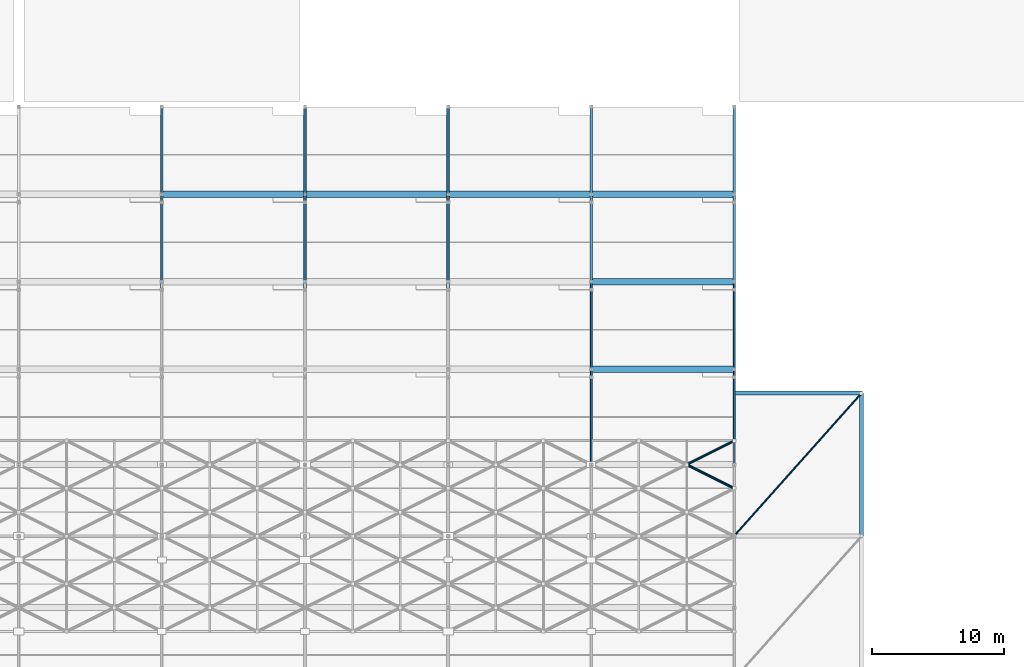
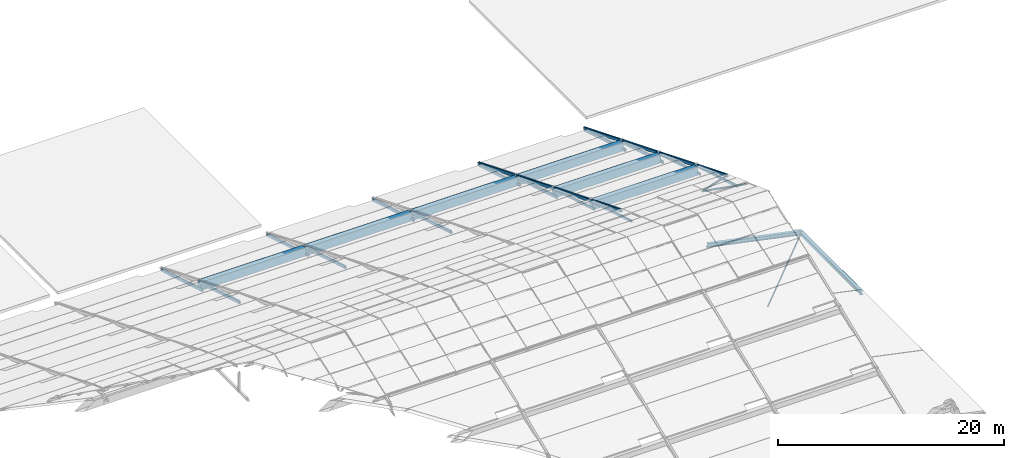
# One storey, part 65 of 112: 19 members, 8 beams.
"""IFC4 building model written with IfcOpenShell, lengths in metres."""

from ifc_helpers import new_model, si_unit, direction, frame, origin, origin_2d, place, context, subcontext, project, spatial, rectangle, hollow_rectangle, hollow_circle, i_section, extrude, material, material_profile, profile_set, type_object, element, save


model = new_model("IFC4")

# Units and contexts
model_context = context("Model", 3, precision=1e-05, world=origin(), true_north=direction((0.0, 1.0)))
body_context = subcontext(model_context, "Body", "Model", "MODEL_VIEW")
ifc_project = project(units=[si_unit("LENGTHUNIT", "METRE"), si_unit("AREAUNIT", "SQUARE_METRE"), si_unit("VOLUMEUNIT", "CUBIC_METRE"), si_unit("PLANEANGLEUNIT", "RADIAN"), si_unit("MASSUNIT", "GRAM", prefix="KILO")], contexts=[model_context])

# Site, building, storey
site_placement = place(None, origin())
site = spatial("IfcSite", under=ifc_project, at=site_placement, CompositionType="ELEMENT")
building_placement = place(site_placement, origin())
building = spatial("IfcBuilding", under=site, at=building_placement, Name="Zwinboog Wholesale Market", CompositionType="ELEMENT")
storey_placement = place(building_placement, frame((0.0, 0.0, 19.080078125)))
storey = spatial("IfcBuildingStorey", under=building, at=storey_placement, Name="Roof", CompositionType="ELEMENT", Elevation=19.080078125)

# Beams
ifc_material_1 = material(Name="Precast concrete C45/55", Category="concrete")
ifc_material_profile_1 = material_profile(ifc_material_1, rectangle(XDim=0.5, YDim=0.89990234375, at=origin_2d()), Name="PC 500x900")
ifc_profile_set_1 = profile_set([ifc_material_profile_1], Name="Precast concrete C45/55")
beam_type_1 = type_object("IfcBeamType", Name="BT-06", PredefinedType="BEAM", material=ifc_profile_set_1)
beam_1_placement = place(storey_placement, frame((129.60009765625, 101.39990234375, -7.402099609375), z_axis=(1.0, 0.0, 0.0), x_axis=(0.0, 1.0, 0.0)))
element("IfcBeam", 1, at=beam_1_placement, inside=storey, type_object=beam_type_1, Name="EB-01 (BMG-Roof-1296-1014-1116)", PredefinedType="BEAM", context=body_context, shape_type="SweptSolid", body=[
    extrude(rectangle(XDim=0.5, YDim=0.89990234375, at=origin_2d()), origin(), (0.0, 0.0, 1.0), 10.7998046875),
])
for number, where, z_axis, x_axis, name in (
    (2, (140.39990234375, 101.39990234375, -7.402099609375), (1.0, 0.0, 0.0), (0.0, 1.0, 0.0), "EB-01 (BMG-Roof-1404-1014-1125)"),
    (3, (151.199951171875, 101.39990234375, -7.402099609375), (1.0, 0.0, 0.0), (0.0, 1.0, 0.0), "EB-01 (BMG-Roof-1512-1014-1134)"),
    (4, (162.0, 101.39990234375, -7.402099609375), (1.0, 0.0, 0.0), (0.0, 1.0, 0.0), "EB-01 (BMG-Roof-1620-1014-1143)"),
    (5, (162.0, 94.800048828125, -4.716064453125), (1.0, 0.0, 0.0), (0.0, 1.0, 0.0), "EB-01 (BMG-Roof-1620-0948-1144)"),
    (6, (162.0, 88.199951171875, -2.031982421875), (1.0, 0.0, 0.0), (0.0, 1.0, 0.0), "EB-01 (BMG-Roof-1620-0882-1145)"),
):
    element("IfcBeam", number, at=place(storey_placement, frame(where, z_axis=z_axis, x_axis=x_axis)), inside=storey, type_object=beam_type_1, Name=name, PredefinedType="BEAM", context=body_context, shape_type="SweptSolid", body=[
        extrude(rectangle(XDim=0.5, YDim=0.89990234375, at=origin_2d()), origin(), (0.0, 0.0, 1.0), 10.800048828125),
    ])
ifc_material_2 = material(Name="Steel S355", Category="steel")
ifc_material_profile_2 = material_profile(ifc_material_2, i_section(OverallWidth=0.300048828125, OverallDepth=0.39990234375, WebThickness=0.013427734375, FlangeThickness=0.02392578125, FilletRadius=0.027099609375, at=origin_2d()), Name="HEB 400")
ifc_profile_set_2 = profile_set([ifc_material_profile_2], Name="Steel S355")
beam_type_2 = type_object("IfcBeamType", Name="BT-15", PredefinedType="BEAM", material=ifc_profile_set_2)
beam_2_placement = place(storey_placement, frame((182.39990234375, 75.60009765625, -11.080078125), z_axis=(0.0, 1.0, 0.0), x_axis=(-1.0, 0.0, 0.0)))
element("IfcBeam", 7, at=beam_2_placement, inside=storey, type_object=beam_type_2, Name="SB-02 (BMG-Roof-1824-0756-1327)", PredefinedType="BEAM", context=body_context, shape_type="SweptSolid", body=[
    extrude(i_section(OverallWidth=0.300048828125, OverallDepth=0.39990234375, WebThickness=0.013427734375, FlangeThickness=0.02392578125, FilletRadius=0.027099609375, at=origin_2d()), origin(), (0.0, 0.0, 1.0), 10.7998046875),
])
beam_3_placement = place(storey_placement, frame((172.800048828125, 86.39990234375, -9.080078125), z_axis=(0.978979798341, 0.0, -0.203957236795), x_axis=(0.0, 1.0, 0.0)))
element("IfcBeam", 8, at=beam_3_placement, inside=storey, type_object=beam_type_2, Name="SB-02 (BMG-Roof-1728-0864-1329)", PredefinedType="BEAM", context=body_context, shape_type="SweptSolid", body=[
    extrude(i_section(OverallWidth=0.300048828125, OverallDepth=0.39990234375, WebThickness=0.013427734375, FlangeThickness=0.02392578125, FilletRadius=0.027099609375, at=origin_2d()), origin(), (0.0, 0.0, 1.0), 9.805908203125),
])

# Members
ifc_material_profile_3 = material_profile(ifc_material_2, hollow_rectangle(XDim=0.199951171875, YDim=0.300048828125, WallThickness=0.012451171875, InnerFilletRadius=0.012451171875, OuterFilletRadius=0.02490234375, at=origin_2d()), Name="RHS 300x200x12.5")
ifc_profile_set_3 = profile_set([ifc_material_profile_3], Name="Steel S355")
member_type_1 = type_object("IfcMemberType", Name="MT-01", PredefinedType="CHORD", material=ifc_profile_set_3)
for number, where, z_axis, x_axis, name in (
    (9, (129.60009765625, 108.0, -9.7001953125), (0.0, -0.958185911438, 0.286146394562), (1.0, 0.0, 0.0), "DC-01 (MEM-Roof-0197)"),
    (10, (129.60009765625, 101.39990234375, -7.0), (0.0, -0.958194819429, 0.286116563694), (1.0, 0.0, 0.0), "DC-01 (MEM-Roof-0200)"),
    (11, (140.39990234375, 108.0, -9.7001953125), (0.0, -0.958185911438, 0.286146394562), (1.0, 0.0, 0.0), "DC-01 (MEM-Roof-0227)"),
    (12, (140.39990234375, 101.39990234375, -7.0), (0.0, -0.958194819429, 0.286116563694), (1.0, 0.0, 0.0), "DC-01 (MEM-Roof-0230)"),
    (13, (151.199951171875, 108.0, -9.7001953125), (0.0, -0.958185911438, 0.286146394562), (1.0, 0.0, 0.0), "DC-01 (MEM-Roof-0257)"),
    (14, (151.199951171875, 101.39990234375, -7.0), (0.0, -0.958194819429, 0.286116563694), (1.0, 0.0, 0.0), "DC-01 (MEM-Roof-0260)"),
):
    element("IfcMember", number, at=place(storey_placement, frame(where, z_axis=z_axis, x_axis=x_axis)), inside=storey, type_object=member_type_1, Name=name, PredefinedType="CHORD", context=body_context, shape_type="SweptSolid", body=[
        extrude(hollow_rectangle(XDim=0.199951171875, YDim=0.300048828125, WallThickness=0.012451171875, InnerFilletRadius=0.012451171875, OuterFilletRadius=0.02490234375, at=origin_2d()), origin(), (0.0, 0.0, 1.0), 7.51416015625),
    ])
member_1_placement = place(storey_placement, frame((162.0, 108.0, -9.580078125), z_axis=(0.0, -0.926947185036, 0.375191839135), x_axis=(1.0, 0.0, 0.0)))
element("IfcMember", 15, at=member_1_placement, inside=storey, type_object=member_type_1, Name="DC-01 (MEM-Roof-0284)", PredefinedType="CHORD", context=body_context, shape_type="SweptSolid", body=[
    extrude(hollow_rectangle(XDim=0.199951171875, YDim=0.300048828125, WallThickness=0.012451171875, InnerFilletRadius=0.012451171875, OuterFilletRadius=0.02490234375, at=origin_2d()), origin(), (0.0, 0.0, 1.0), 27.18603515625),
])
for number, where, z_axis, x_axis, name in (
    (16, (162.0, 108.0, -9.7001953125), (0.0, -0.958185911438, 0.286146394562), (1.0, 0.0, 0.0), "DC-01 (MEM-Roof-0287)"),
    (17, (162.0, 101.39990234375, -7.0), (0.0, -0.958194819429, 0.286116563694), (1.0, 0.0, 0.0), "DC-01 (MEM-Roof-0290)"),
):
    element("IfcMember", number, at=place(storey_placement, frame(where, z_axis=z_axis, x_axis=x_axis)), inside=storey, type_object=member_type_1, Name=name, PredefinedType="CHORD", context=body_context, shape_type="SweptSolid", body=[
        extrude(hollow_rectangle(XDim=0.199951171875, YDim=0.300048828125, WallThickness=0.012451171875, InnerFilletRadius=0.012451171875, OuterFilletRadius=0.02490234375, at=origin_2d()), origin(), (0.0, 0.0, 1.0), 7.51416015625),
    ])
member_2_placement = place(storey_placement, frame((172.800048828125, 108.0, -9.580078125), z_axis=(0.0, -0.926947185036, 0.375191839135), x_axis=(1.0, 0.0, 0.0)))
element("IfcMember", 18, at=member_2_placement, inside=storey, type_object=member_type_1, Name="DC-01 (MEM-Roof-0314)", PredefinedType="CHORD", context=body_context, shape_type="SweptSolid", body=[
    extrude(hollow_rectangle(XDim=0.199951171875, YDim=0.300048828125, WallThickness=0.012451171875, InnerFilletRadius=0.012451171875, OuterFilletRadius=0.02490234375, at=origin_2d()), origin(), (0.0, 0.0, 1.0), 27.18603515625),
])
for number, where, z_axis, x_axis, name in (
    (19, (172.800048828125, 108.0, -9.7001953125), (0.0, -0.958185911438, 0.286146394562), (1.0, 0.0, 0.0), "DC-01 (MEM-Roof-0317)"),
    (20, (172.800048828125, 101.39990234375, -7.0), (0.0, -0.958194819429, 0.286116563694), (1.0, 0.0, 0.0), "DC-01 (MEM-Roof-0320)"),
):
    element("IfcMember", number, at=place(storey_placement, frame(where, z_axis=z_axis, x_axis=x_axis)), inside=storey, type_object=member_type_1, Name=name, PredefinedType="CHORD", context=body_context, shape_type="SweptSolid", body=[
        extrude(hollow_rectangle(XDim=0.199951171875, YDim=0.300048828125, WallThickness=0.012451171875, InnerFilletRadius=0.012451171875, OuterFilletRadius=0.02490234375, at=origin_2d()), origin(), (0.0, 0.0, 1.0), 7.51416015625),
    ])
ifc_material_profile_4 = material_profile(ifc_material_2, hollow_rectangle(XDim=0.14990234375, YDim=0.25, WallThickness=0.010009765625, InnerFilletRadius=0.010009765625, OuterFilletRadius=0.02001953125, at=origin_2d()), Name="RHS 250x150x10")
ifc_profile_set_4 = profile_set([ifc_material_profile_4], Name="Steel S355")
member_type_2 = type_object("IfcMemberType", Name="MT-02", PredefinedType="CHORD", material=ifc_profile_set_4)
for number, where, z_axis, x_axis, name in (
    (21, (162.0, 94.800048828125, -4.300048828125), (0.0, -0.958194819429, 0.286116563694), (1.0, 0.0, 0.0), "DC-02 (MEM-Roof-0293)"),
    (22, (162.0, 88.199951171875, -1.60009765625), (0.0, -0.958194819429, 0.286116563694), (1.0, 0.0, 0.0), "DC-02 (MEM-Roof-0296)"),
    (23, (172.800048828125, 94.800048828125, -4.300048828125), (0.0, -0.958194819429, 0.286116563694), (1.0, 0.0, 0.0), "DC-02 (MEM-Roof-0323)"),
    (24, (172.800048828125, 88.199951171875, -1.60009765625), (0.0, -0.958194819429, 0.286116563694), (1.0, 0.0, 0.0), "DC-02 (MEM-Roof-0326)"),
):
    element("IfcMember", number, at=place(storey_placement, frame(where, z_axis=z_axis, x_axis=x_axis)), inside=storey, type_object=member_type_2, Name=name, PredefinedType="CHORD", context=body_context, shape_type="SweptSolid", body=[
        extrude(hollow_rectangle(XDim=0.14990234375, YDim=0.25, WallThickness=0.010009765625, InnerFilletRadius=0.010009765625, OuterFilletRadius=0.02001953125, at=origin_2d()), origin(), (0.0, 0.0, 1.0), 7.51416015625),
    ])
ifc_material_profile_5 = material_profile(ifc_material_2, hollow_circle(Radius=0.096923828125, WallThickness=0.010009765625, at=origin_2d()), Name="CHS 193.7x10")
ifc_profile_set_5 = profile_set([ifc_material_profile_5], Name="Steel S355")
member_type_3 = type_object("IfcMemberType", Name="MT-06", PredefinedType="BRACE", material=ifc_profile_set_5)
for number, where, z_axis, x_axis, name in (
    (25, (169.199951171875, 81.0, 1.267333984375), (0.883408764097, -0.441704382048, 0.156480651826), (0.4472135955, 0.894427191, 0.0), "DB-03 (MEM-Roof-0659)"),
    (26, (169.199951171875, 81.0, 1.267333984375), (0.883417044144, 0.441708522072, -0.156422209566), (-0.4472135955, 0.894427191, 0.0), "DB-03 (MEM-Roof-0660)"),
):
    element("IfcMember", number, at=place(storey_placement, frame(where, z_axis=z_axis, x_axis=x_axis)), inside=storey, type_object=member_type_3, Name=name, PredefinedType="BRACE", context=body_context, shape_type="SweptSolid", body=[
        extrude(hollow_circle(Radius=0.096923828125, WallThickness=0.010009765625, at=origin_2d()), origin(), (0.0, 0.0, 1.0), 4.0751953125),
    ])
ifc_material_profile_6 = material_profile(ifc_material_2, hollow_circle(Radius=0.06982421875, WallThickness=0.00634765625, at=origin_2d()), Name="CHS 139.7x6.3")
ifc_profile_set_6 = profile_set([ifc_material_profile_6], Name="Steel S355")
member_type_4 = type_object("IfcMemberType", Name="MT-08", PredefinedType="BRACE", material=ifc_profile_set_6)
member_3_placement = place(storey_placement, frame((172.800048828125, 75.6201171875, -9.16015625), z_axis=(0.659429921984, 0.739106216059, -0.13738333005), x_axis=(-0.746181542478, 0.66574252205, 0.0)))
element("IfcMember", 27, at=member_3_placement, inside=storey, type_object=member_type_4, Name="DB-05 (MEM-Roof-0944)", PredefinedType="BRACE", context=body_context, shape_type="SweptSolid", body=[
    extrude(hollow_circle(Radius=0.06982421875, WallThickness=0.00634765625, at=origin_2d()), origin(), (0.0, 0.0, 1.0), 14.557861328125),
])

save(model, "model.ifc")
